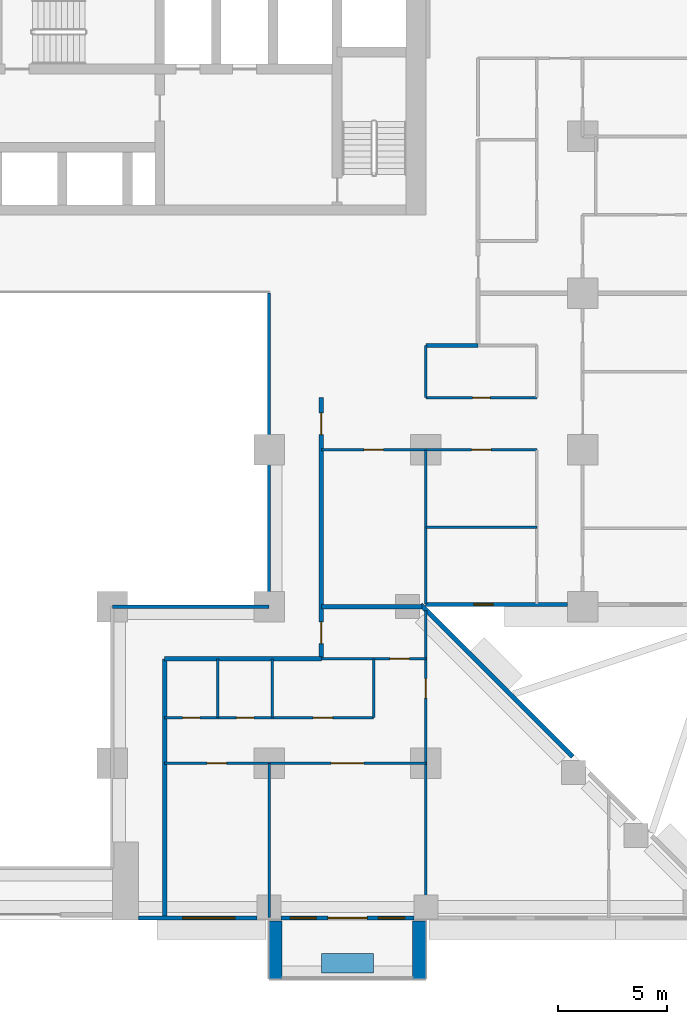
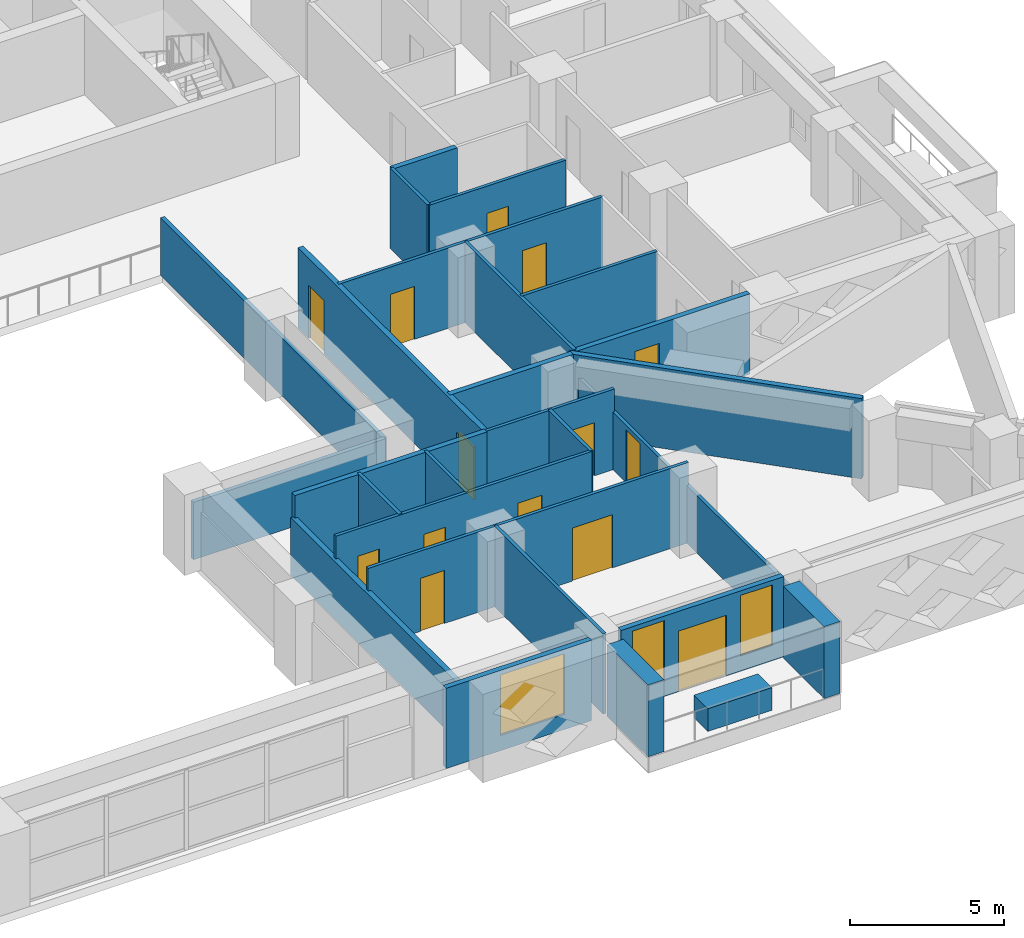
# One storey, part 8 of 16: 27 walls, 13 doors, 4 windows, 17 openings.
"""IFC4 building model written with IfcOpenShell, lengths in metres."""

from ifc_helpers import new_model, si_unit, direction, frame, frame_2d, origin, place, context, subcontext, project, spatial, rectangle, extrude, material, layer, layer_set, type_object, element, fill, save


model = new_model("IFC4")

# Units and contexts
model_context = context("Model", 3, precision=1e-05, world=origin(), true_north=direction((0.0, 1.0)))
body_context = subcontext(model_context, "Body", "Model", "MODEL_VIEW")
ifc_project = project(units=[si_unit("LENGTHUNIT", "METRE"), si_unit("AREAUNIT", "SQUARE_METRE"), si_unit("VOLUMEUNIT", "CUBIC_METRE"), si_unit("PLANEANGLEUNIT", "RADIAN"), si_unit("MASSUNIT", "GRAM", prefix="KILO")], contexts=[model_context])

# Site, building, storey
site_placement = place(None, origin())
site = spatial("IfcSite", under=ifc_project, at=site_placement, CompositionType="ELEMENT")
building_placement = place(site_placement, origin())
building = spatial("IfcBuilding", under=site, at=building_placement, Name="Saffron Iwan Residences", CompositionType="ELEMENT")
storey_placement = place(building_placement, frame((0.0, 0.0, 44.5)))
storey = spatial("IfcBuildingStorey", under=building, at=storey_placement, Name="L10", CompositionType="ELEMENT", Elevation=44.5)

# Walls
ifc_material_1 = material(Name="Fire-rated glazing", Category="glass")
ifc_layer_1 = layer(ifc_material_1, 0.14990234375)
ifc_layer_set_1 = layer_set([ifc_layer_1], Name="Fire-rated glazing")
wall_type_1 = type_object("IfcWallType", Name="Atrium glazed screen 150", PredefinedType="SOLIDWALL", material=ifc_layer_set_1)
wall_1_placement = place(storey_placement, frame((57.60009765625, 48.0, 0.0), z_axis=(0.0, 0.0, 1.0), x_axis=(1.0, 0.0, 0.0)))
element("IfcWall", 1, at=wall_1_placement, inside=storey, type_object=wall_type_1, Name="W-L10-SCREEN-h48-57.6", PredefinedType="SOLIDWALL", context=body_context, shape_type="SweptSolid", body=[
    extrude(rectangle(XDim=7.199951171875, YDim=0.14990234375, at=frame_2d((3.60009765625, 0.0))), origin(), (0.0, 0.0, 1.0), 2.280029296875),
])
wall_2_placement = place(storey_placement, frame((64.800048828125, 48.0, 0.0), z_axis=(0.0, 0.0, 1.0), x_axis=(0.0, 1.0, 0.0)))
element("IfcWall", 2, at=wall_2_placement, inside=storey, type_object=wall_type_1, Name="W-L10-SCREEN-v64.8-48", PredefinedType="SOLIDWALL", context=body_context, shape_type="SweptSolid", body=[
    extrude(rectangle(XDim=14.39990234375, YDim=0.14990234375, at=frame_2d((7.199951171875, 0.0))), origin(), (0.0, 0.0, 1.0), 2.280029296875),
])
ifc_material_2 = material(Name="Concrete C50/60 white painted", Category="concrete")
ifc_layer_2 = layer(ifc_material_2, 0.60009765625)
ifc_layer_set_2 = layer_set([ifc_layer_2], Name="Concrete C50/60 white painted")
wall_type_2 = type_object("IfcWallType", Name="BALCONY FIN 600", PredefinedType="SOLIDWALL", material=ifc_layer_set_2)
for number, where, z_axis, x_axis, name in (
    (3, (65.10009765625, 33.550048828125, 0.0), (0.0, 0.0, 1.0), (0.0, -1.0, 0.0), "Balcony fin L10 11-1a"),
    (4, (71.699951171875, 33.550048828125, 0.0), (0.0, 0.0, 1.0), (0.0, -1.0, 0.0), "Balcony fin L10 11-1b"),
):
    element("IfcWall", number, at=place(storey_placement, frame(where, z_axis=z_axis, x_axis=x_axis)), inside=storey, type_object=wall_type_2, Name=name, PredefinedType="SOLIDWALL", context=body_context, shape_type="SweptSolid", body=[
        extrude(rectangle(XDim=2.650146484375, YDim=0.60009765625, at=frame_2d((1.3251953125, 0.0))), origin(), (0.0, 0.0, 1.0), 2.85009765625),
    ])
ifc_material_3 = material(Name="Concrete C35/45 white painted", Category="concrete")
ifc_layer_3 = layer(ifc_material_3, 0.14990234375)
ifc_layer_set_3 = layer_set([ifc_layer_3], Name="Concrete C35/45 white painted")
wall_type_3 = type_object("IfcWallType", Name="BALCONY PLANTER", PredefinedType="SOLIDWALL", material=ifc_layer_set_3)
wall_3_placement = place(storey_placement, frame((67.199951171875, 31.625, 0.0), z_axis=(0.0, 0.0, 1.0), x_axis=(1.0, 0.0, 0.0)))
element("IfcWall", 5, at=wall_3_placement, inside=storey, type_object=wall_type_3, Name="PLANTER L10 11-1", PredefinedType="SOLIDWALL", context=body_context, shape_type="SweptSolid", body=[
    extrude(rectangle(XDim=2.400146484375, YDim=0.89990234375, at=frame_2d((1.2001953125, 0.0))), origin(), (0.0, 0.0, 1.0), 0.89990234375),
])
ifc_material_4 = material(Name="Concrete C40/50", Category="concrete")
ifc_layer_4 = layer(ifc_material_4, 0.199951171875)
ifc_layer_set_4 = layer_set([ifc_layer_4], Name="Concrete C40/50")
wall_type_4 = type_object("IfcWallType", Name="EXTERNAL WALL 200", PredefinedType="SOLIDWALL", material=ifc_layer_set_4)
wall_4_placement = place(storey_placement, frame((78.740478515625, 41.1181640625, 0.0), z_axis=(0.0, 0.0, 1.0), x_axis=(-0.707106781187, 0.707106781187, 0.0)))
element("IfcWall", 6, at=wall_4_placement, inside=storey, type_object=wall_type_4, Name="External wall L10 F0.2", PredefinedType="SOLIDWALL", context=body_context, shape_type="SweptSolid", body=[
    extrude(rectangle(XDim=9.8740234375, YDim=0.199951171875, at=frame_2d((4.93701171875, 0.0))), origin(), (0.0, 0.0, 1.0), 3.179931640625),
])

# Wall, opening, window
wall_5_placement = place(storey_placement, frame((71.988525390625, 48.10009765625, 0.0), z_axis=(0.0, 0.0, 1.0), x_axis=(1.0, 0.0, 0.0)))
wall_5 = element("IfcWall", 7, at=wall_5_placement, inside=storey, type_object=wall_type_4, Name="External wall L10 F1.0", PredefinedType="SOLIDWALL", context=body_context, shape_type="SweptSolid", body=[
    extrude(rectangle(XDim=6.511474609375, YDim=0.199951171875, at=frame_2d((3.255859375, 0.0))), origin(), (0.0, 0.0, 1.0), 3.179931640625),
])
opening_1_placement = place(wall_5_placement, frame((2.205810546875, 0.0, 1.5)))
opening_1 = element("IfcOpeningElement", 8, at=opening_1_placement, cuts=wall_5, Name="Opening W6", PredefinedType="OPENING", context=body_context, shape_type="SweptSolid", body=[
    extrude(rectangle(XDim=0.89990234375, YDim=0.89990234375, at=frame_2d((0.449951171875, 0.449951171875))), frame((0.0, 0.10986328125, 0.0), z_axis=(0.0, -1.0, 0.0), x_axis=(1.0, 0.0, 0.0)), (0.0, 0.0, 1.0), 0.219970703125),
])
ifc_material_5 = material(Name="Clear glass, laminated double glazed", Category="glass")
window_type_1 = type_object("IfcWindowType", Name="WINDOW 900 x 900 BATH", PartitioningType="SINGLE_PANEL", PredefinedType="WINDOW", material=ifc_material_5)
window_1_placement = place(opening_1_placement, origin())
window_1 = element("IfcWindow", 9, at=window_1_placement, inside=storey, type_object=window_type_1, Name="Window L10 F1.0", OverallHeight=0.89990234375, OverallWidth=0.89990234375, PartitioningType="SINGLE_PANEL", PredefinedType="WINDOW", context=body_context, shape_type="SweptSolid", body=[
    extrude(rectangle(XDim=0.89990234375, YDim=0.89990234375, at=frame_2d((0.449951171875, 0.449951171875))), frame((0.0, 0.030029296875, 0.0), z_axis=(0.0, -1.0, 0.0), x_axis=(1.0, 0.0, 0.0)), (0.0, 0.0, 1.0), 0.06005859375),
])
fill(opening_1, window_1)

wall_6_placement = place(storey_placement, frame((58.800048828125, 33.699951171875, 0.0), z_axis=(0.0, 0.0, 1.0), x_axis=(1.0, 0.0, 0.0)))
wall_6 = element("IfcWall", 10, at=wall_6_placement, inside=storey, type_object=wall_type_4, Name="External wall L10 F11.4", PredefinedType="SOLIDWALL", context=body_context, shape_type="SweptSolid", body=[
    extrude(rectangle(XDim=5.449951171875, YDim=0.199951171875, at=frame_2d((2.72509765625, 0.0))), origin(), (0.0, 0.0, 1.0), 3.179931640625),
])
opening_2_placement = place(wall_6_placement, frame((2.02490234375, 0.0, 0.60009765625)))
opening_2 = element("IfcOpeningElement", 11, at=opening_2_placement, cuts=wall_6, Name="Opening W1", PredefinedType="OPENING", context=body_context, shape_type="SweptSolid", body=[
    extrude(rectangle(XDim=2.39990234375, YDim=2.39990234375, at=frame_2d((1.199951171875, 1.199951171875))), frame((0.0, 0.10986328125, 0.0), z_axis=(0.0, -1.0, 0.0), x_axis=(1.0, 0.0, 0.0)), (0.0, 0.0, 1.0), 0.219970703125),
])
window_type_2 = type_object("IfcWindowType", Name="WINDOW 2400 x 2400", PartitioningType="DOUBLE_PANEL_VERTICAL", PredefinedType="WINDOW", material=ifc_material_5)
window_2_placement = place(opening_2_placement, origin())
window_2 = element("IfcWindow", 12, at=window_2_placement, inside=storey, type_object=window_type_2, Name="Window L10 F11.0", OverallHeight=2.39990234375, OverallWidth=2.39990234375, PartitioningType="DOUBLE_PANEL_VERTICAL", PredefinedType="WINDOW", context=body_context, shape_type="SweptSolid", body=[
    extrude(rectangle(XDim=2.39990234375, YDim=2.39990234375, at=frame_2d((1.199951171875, 1.199951171875))), frame((0.0, 0.030029296875, 0.0), z_axis=(0.0, -1.0, 0.0), x_axis=(1.0, 0.0, 0.0)), (0.0, 0.0, 1.0), 0.06005859375),
])
fill(opening_2, window_2)

# Wall, openings, door, windows
wall_7_placement = place(storey_placement, frame((65.35009765625, 33.699951171875, 0.0), z_axis=(0.0, 0.0, 1.0), x_axis=(1.0, 0.0, 0.0)))
wall_7 = element("IfcWall", 13, at=wall_7_placement, inside=storey, type_object=wall_type_4, Name="External wall L10 F11.5", PredefinedType="SOLIDWALL", context=body_context, shape_type="SweptSolid", body=[
    extrude(rectangle(XDim=6.099853515625, YDim=0.199951171875, at=frame_2d((3.0498046875, 0.0))), origin(), (0.0, 0.0, 1.0), 3.179931640625),
])
opening_3_placement = place(wall_7_placement, frame((2.14990234375, 0.0, 0.0)))
opening_3 = element("IfcOpeningElement", 14, at=opening_3_placement, cuts=wall_7, Name="Opening BD1", PredefinedType="OPENING", context=body_context, shape_type="SweptSolid", body=[
    extrude(rectangle(XDim=1.800048828125, YDim=2.39990234375, at=frame_2d((0.89990234375, 1.199951171875))), frame((0.0, 0.10986328125, 0.0), z_axis=(0.0, -1.0, 0.0), x_axis=(1.0, 0.0, 0.0)), (0.0, 0.0, 1.0), 0.219970703125),
])
opening_4_placement = place(wall_7_placement, frame((0.425048828125, 0.0, 0.60009765625)))
opening_4 = element("IfcOpeningElement", 15, at=opening_4_placement, cuts=wall_7, Name="Opening W3", PredefinedType="OPENING", context=body_context, shape_type="SweptSolid", body=[
    extrude(rectangle(XDim=1.199951171875, YDim=2.39990234375, at=frame_2d((0.60009765625, 1.199951171875))), frame((0.0, 0.10986328125, 0.0), z_axis=(0.0, -1.0, 0.0), x_axis=(1.0, 0.0, 0.0)), (0.0, 0.0, 1.0), 0.219970703125),
])
opening_5_placement = place(wall_7_placement, frame((4.47509765625, 0.0, 0.60009765625)))
opening_5 = element("IfcOpeningElement", 16, at=opening_5_placement, cuts=wall_7, Name="Opening W3", PredefinedType="OPENING", context=body_context, shape_type="SweptSolid", body=[
    extrude(rectangle(XDim=1.199951171875, YDim=2.39990234375, at=frame_2d((0.60009765625, 1.199951171875))), frame((0.0, 0.10986328125, 0.0), z_axis=(0.0, -1.0, 0.0), x_axis=(1.0, 0.0, 0.0)), (0.0, 0.0, 1.0), 0.219970703125),
])
door_type_1 = type_object("IfcDoorType", Name="BALCONY DOOR 1800 x 2400", OperationType="DOUBLE_DOOR_SLIDING", PredefinedType="DOOR", material=ifc_material_5)
door_1_placement = place(opening_3_placement, origin())
door_1 = element("IfcDoor", 17, at=door_1_placement, inside=storey, type_object=door_type_1, Name="Balcony door L10 F11.0", OperationType="DOUBLE_DOOR_SLIDING", OverallHeight=2.39990234375, OverallWidth=1.800048828125, PredefinedType="DOOR", context=body_context, shape_type="SweptSolid", body=[
    extrude(rectangle(XDim=1.800048828125, YDim=2.39990234375, at=frame_2d((0.89990234375, 1.199951171875))), frame((0.0, 0.02490234375, 0.0), z_axis=(0.0, -1.0, 0.0), x_axis=(1.0, 0.0, 0.0)), (0.0, 0.0, 1.0), 0.050048828125),
])
fill(opening_3, door_1)
window_type_3 = type_object("IfcWindowType", Name="WINDOW 1200 x 2400", PartitioningType="SINGLE_PANEL", PredefinedType="WINDOW", material=ifc_material_5)
window_3_placement = place(opening_4_placement, origin())
window_3 = element("IfcWindow", 18, at=window_3_placement, inside=storey, type_object=window_type_3, Name="Window L10 F11.1", OverallHeight=2.39990234375, OverallWidth=1.199951171875, PartitioningType="SINGLE_PANEL", PredefinedType="WINDOW", context=body_context, shape_type="SweptSolid", body=[
    extrude(rectangle(XDim=1.199951171875, YDim=2.39990234375, at=frame_2d((0.60009765625, 1.199951171875))), frame((0.0, 0.030029296875, 0.0), z_axis=(0.0, -1.0, 0.0), x_axis=(1.0, 0.0, 0.0)), (0.0, 0.0, 1.0), 0.06005859375),
])
fill(opening_4, window_3)
window_4_placement = place(opening_5_placement, origin())
window_4 = element("IfcWindow", 19, at=window_4_placement, inside=storey, type_object=window_type_3, Name="Window L10 F11.2", OverallHeight=2.39990234375, OverallWidth=1.199951171875, PartitioningType="SINGLE_PANEL", PredefinedType="WINDOW", context=body_context, shape_type="SweptSolid", body=[
    extrude(rectangle(XDim=1.199951171875, YDim=2.39990234375, at=frame_2d((0.60009765625, 1.199951171875))), frame((0.0, 0.030029296875, 0.0), z_axis=(0.0, -1.0, 0.0), x_axis=(1.0, 0.0, 0.0)), (0.0, 0.0, 1.0), 0.06005859375),
])
fill(opening_5, window_4)

# Wall
ifc_material_6 = material(Name="Fire-rated gypsum board wall")
ifc_layer_5 = layer(ifc_material_6, 0.199951171875)
ifc_layer_set_5 = layer_set([ifc_layer_5], Name="Fire-rated gypsum board wall")
wall_type_5 = type_object("IfcWallType", Name="Flat demising wall 200", PredefinedType="SOLIDWALL", material=ifc_layer_set_5)
wall_8_placement = place(storey_placement, frame((67.199951171875, 48.0, 0.0), z_axis=(0.0, 0.0, 1.0), x_axis=(1.0, 0.0, 0.0)))
element("IfcWall", 20, at=wall_8_placement, inside=storey, type_object=wall_type_5, Name="W-L10-DEMISE-h48-67.2", PredefinedType="SOLIDWALL", context=body_context, shape_type="SweptSolid", body=[
    extrude(rectangle(XDim=4.623046875, YDim=0.199951171875, at=frame_2d((2.3115234375, 0.0))), origin(), (0.0, 0.0, 1.0), 3.179931640625),
])

# Wall, openings, doors
ifc_material_7 = material(Name="Gypsum board partition")
ifc_layer_6 = layer(ifc_material_7, 0.1201171875)
ifc_layer_set_6 = layer_set([ifc_layer_6], Name="Gypsum board partition")
wall_type_6 = type_object("IfcWallType", Name="Flat partition 120", PredefinedType="PARTITIONING", material=ifc_layer_set_6)
wall_9_placement = place(storey_placement, frame((60.0, 40.800048828125, 0.0), z_axis=(0.0, 0.0, 1.0), x_axis=(1.0, 0.0, 0.0)))
wall_9 = element("IfcWall", 21, at=wall_9_placement, inside=storey, type_object=wall_type_6, Name="W-L10-PART-h40.8-60", PredefinedType="PARTITIONING", context=body_context, shape_type="SweptSolid", body=[
    extrude(rectangle(XDim=12.0, YDim=0.1201171875, at=frame_2d((6.0, 0.0))), origin(), (0.0, 0.0, 1.0), 3.179931640625),
])
opening_6_placement = place(wall_9_placement, frame((7.64990234375, 0.0, 0.0)))
opening_6 = element("IfcOpeningElement", 22, at=opening_6_placement, cuts=wall_9, Name="Opening FD4", PredefinedType="OPENING", context=body_context, shape_type="SweptSolid", body=[
    extrude(rectangle(XDim=1.5, YDim=2.10009765625, at=frame_2d((0.75, 1.050048828125))), frame((0.0, 0.070068359375, 0.0), z_axis=(0.0, -1.0, 0.0), x_axis=(1.0, 0.0, 0.0)), (0.0, 0.0, 1.0), 0.14013671875),
])
opening_7_placement = place(wall_9_placement, frame((1.949951171875, 0.0, 0.0)))
opening_7 = element("IfcOpeningElement", 23, at=opening_7_placement, cuts=wall_9, Name="Opening FD2", PredefinedType="OPENING", context=body_context, shape_type="SweptSolid", body=[
    extrude(rectangle(XDim=0.89990234375, YDim=2.10009765625, at=frame_2d((0.449951171875, 1.050048828125))), frame((0.0, 0.070068359375, 0.0), z_axis=(0.0, -1.0, 0.0), x_axis=(1.0, 0.0, 0.0)), (0.0, 0.0, 1.0), 0.14013671875),
])
ifc_material_8 = material(Name="Timber door", Category="wood")
door_type_2 = type_object("IfcDoorType", Name="Double door 1500", OperationType="NOTDEFINED", PredefinedType="DOOR", material=ifc_material_8)
door_2_placement = place(opening_6_placement, origin())
door_2 = element("IfcDoor", 24, at=door_2_placement, inside=storey, type_object=door_type_2, Name="Door L10-044", OperationType="SINGLE_SWING_LEFT", OverallHeight=2.10009765625, OverallWidth=1.5, PredefinedType="DOOR", context=body_context, shape_type="SweptSolid", body=[
    extrude(rectangle(XDim=1.5, YDim=2.10009765625, at=frame_2d((0.75, 1.050048828125))), frame((0.0, 0.02490234375, 0.0), z_axis=(0.0, -1.0, 0.0), x_axis=(1.0, 0.0, 0.0)), (0.0, 0.0, 1.0), 0.050048828125),
])
fill(opening_6, door_2)
door_type_3 = type_object("IfcDoorType", Name="Flat door 900", OperationType="NOTDEFINED", PredefinedType="DOOR", material=ifc_material_8)
door_3_placement = place(opening_7_placement, origin())
door_3 = element("IfcDoor", 25, at=door_3_placement, inside=storey, type_object=door_type_3, Name="Door L10-045", OperationType="SINGLE_SWING_RIGHT", OverallHeight=2.10009765625, OverallWidth=0.89990234375, PredefinedType="DOOR", context=body_context, shape_type="SweptSolid", body=[
    extrude(rectangle(XDim=0.89990234375, YDim=2.10009765625, at=frame_2d((0.449951171875, 1.050048828125))), frame((0.0, 0.02490234375, 0.0), z_axis=(0.0, -1.0, 0.0), x_axis=(1.0, 0.0, 0.0)), (0.0, 0.0, 1.0), 0.050048828125),
])
fill(opening_7, door_3)

wall_10_placement = place(storey_placement, frame((60.0, 42.89990234375, 0.0), z_axis=(0.0, 0.0, 1.0), x_axis=(1.0, 0.0, 0.0)))
wall_10 = element("IfcWall", 26, at=wall_10_placement, inside=storey, type_object=wall_type_6, Name="W-L10-PART-h42.9-60", PredefinedType="PARTITIONING", context=body_context, shape_type="SweptSolid", body=[
    extrude(rectangle(XDim=9.60009765625, YDim=0.1201171875, at=frame_2d((4.800048828125, 0.0))), origin(), (0.0, 0.0, 1.0), 3.179931640625),
])
opening_8_placement = place(wall_10_placement, frame((6.824951171875, 0.0, 0.0)))
opening_8 = element("IfcOpeningElement", 27, at=opening_8_placement, cuts=wall_10, Name="Opening FD2", PredefinedType="OPENING", context=body_context, shape_type="SweptSolid", body=[
    extrude(rectangle(XDim=0.89990234375, YDim=2.10009765625, at=frame_2d((0.449951171875, 1.050048828125))), frame((0.0, 0.070068359375, 0.0), z_axis=(0.0, -1.0, 0.0), x_axis=(1.0, 0.0, 0.0)), (0.0, 0.0, 1.0), 0.14013671875),
])
opening_9_placement = place(wall_10_placement, frame((3.300048828125, 0.0, 0.0)))
opening_9 = element("IfcOpeningElement", 28, at=opening_9_placement, cuts=wall_10, Name="Opening FD3", PredefinedType="OPENING", context=body_context, shape_type="SweptSolid", body=[
    extrude(rectangle(XDim=0.800048828125, YDim=2.10009765625, at=frame_2d((0.39990234375, 1.050048828125))), frame((0.0, 0.070068359375, 0.0), z_axis=(0.0, -1.0, 0.0), x_axis=(1.0, 0.0, 0.0)), (0.0, 0.0, 1.0), 0.14013671875),
])
opening_10_placement = place(wall_10_placement, frame((0.824951171875, 0.0, 0.0)))
opening_10 = element("IfcOpeningElement", 29, at=opening_10_placement, cuts=wall_10, Name="Opening FD3", PredefinedType="OPENING", context=body_context, shape_type="SweptSolid", body=[
    extrude(rectangle(XDim=0.800048828125, YDim=2.10009765625, at=frame_2d((0.39990234375, 1.050048828125))), frame((0.0, 0.070068359375, 0.0), z_axis=(0.0, -1.0, 0.0), x_axis=(1.0, 0.0, 0.0)), (0.0, 0.0, 1.0), 0.14013671875),
])
door_type_4 = type_object("IfcDoorType", Name="Bathroom door 800", OperationType="NOTDEFINED", PredefinedType="DOOR", material=ifc_material_8)
door_4_placement = place(opening_9_placement, origin())
door_4 = element("IfcDoor", 30, at=door_4_placement, inside=storey, type_object=door_type_4, Name="Door L10-047", OperationType="SINGLE_SWING_LEFT", OverallHeight=2.10009765625, OverallWidth=0.800048828125, PredefinedType="DOOR", context=body_context, shape_type="SweptSolid", body=[
    extrude(rectangle(XDim=0.800048828125, YDim=2.10009765625, at=frame_2d((0.39990234375, 1.050048828125))), frame((0.0, 0.02490234375, 0.0), z_axis=(0.0, -1.0, 0.0), x_axis=(1.0, 0.0, 0.0)), (0.0, 0.0, 1.0), 0.050048828125),
])
fill(opening_9, door_4)
door_5_placement = place(opening_10_placement, origin())
door_5 = element("IfcDoor", 31, at=door_5_placement, inside=storey, type_object=door_type_4, Name="Door L10-048", OperationType="SINGLE_SWING_RIGHT", OverallHeight=2.10009765625, OverallWidth=0.800048828125, PredefinedType="DOOR", context=body_context, shape_type="SweptSolid", body=[
    extrude(rectangle(XDim=0.800048828125, YDim=2.10009765625, at=frame_2d((0.39990234375, 1.050048828125))), frame((0.0, 0.02490234375, 0.0), z_axis=(0.0, -1.0, 0.0), x_axis=(1.0, 0.0, 0.0)), (0.0, 0.0, 1.0), 0.050048828125),
])
fill(opening_10, door_5)
door_6_placement = place(opening_8_placement, origin())
door_6 = element("IfcDoor", 32, at=door_6_placement, inside=storey, type_object=door_type_3, Name="Door L10-046", OperationType="SINGLE_SWING_LEFT", OverallHeight=2.10009765625, OverallWidth=0.89990234375, PredefinedType="DOOR", context=body_context, shape_type="SweptSolid", body=[
    extrude(rectangle(XDim=0.89990234375, YDim=2.10009765625, at=frame_2d((0.449951171875, 1.050048828125))), frame((0.0, 0.02490234375, 0.0), z_axis=(0.0, -1.0, 0.0), x_axis=(1.0, 0.0, 0.0)), (0.0, 0.0, 1.0), 0.050048828125),
])
fill(opening_8, door_6)

# Wall, opening, door
wall_11_placement = place(storey_placement, frame((67.199951171875, 45.60009765625, 0.0), z_axis=(0.0, 0.0, 1.0), x_axis=(1.0, 0.0, 0.0)))
wall_11 = element("IfcWall", 33, at=wall_11_placement, inside=storey, type_object=wall_type_6, Name="W-L10-PART-h45.6-67.2", PredefinedType="PARTITIONING", context=body_context, shape_type="SweptSolid", body=[
    extrude(rectangle(XDim=4.800048828125, YDim=0.1201171875, at=frame_2d((2.39990234375, 0.0))), origin(), (0.0, 0.0, 1.0), 3.179931640625),
])
opening_11_placement = place(wall_11_placement, frame((3.14990234375, 0.0, 0.0)))
opening_11 = element("IfcOpeningElement", 34, at=opening_11_placement, cuts=wall_11, Name="Opening FD2", PredefinedType="OPENING", context=body_context, shape_type="SweptSolid", body=[
    extrude(rectangle(XDim=0.89990234375, YDim=2.10009765625, at=frame_2d((0.449951171875, 1.050048828125))), frame((0.0, 0.070068359375, 0.0), z_axis=(0.0, -1.0, 0.0), x_axis=(1.0, 0.0, 0.0)), (0.0, 0.0, 1.0), 0.14013671875),
])
door_7_placement = place(opening_11_placement, origin())
door_7 = element("IfcDoor", 35, at=door_7_placement, inside=storey, type_object=door_type_3, Name="Door L10-042", OperationType="SINGLE_SWING_RIGHT", OverallHeight=2.10009765625, OverallWidth=0.89990234375, PredefinedType="DOOR", context=body_context, shape_type="SweptSolid", body=[
    extrude(rectangle(XDim=0.89990234375, YDim=2.10009765625, at=frame_2d((0.449951171875, 1.050048828125))), frame((0.0, 0.02490234375, 0.0), z_axis=(0.0, -1.0, 0.0), x_axis=(1.0, 0.0, 0.0)), (0.0, 0.0, 1.0), 0.050048828125),
])
fill(opening_11, door_7)

# Wall
wall_12_placement = place(storey_placement, frame((72.0, 51.64990234375, 0.0), z_axis=(0.0, 0.0, 1.0), x_axis=(1.0, 0.0, 0.0)))
element("IfcWall", 36, at=wall_12_placement, inside=storey, type_object=wall_type_6, Name="W-L10-PART-h51.65-72", PredefinedType="PARTITIONING", context=body_context, shape_type="SweptSolid", body=[
    extrude(rectangle(XDim=5.10009765625, YDim=0.1201171875, at=frame_2d((2.550048828125, 0.0))), origin(), (0.0, 0.0, 1.0), 3.179931640625),
])

# Wall, openings, doors
wall_13_placement = place(storey_placement, frame((67.199951171875, 55.199951171875, 0.0), z_axis=(0.0, 0.0, 1.0), x_axis=(1.0, 0.0, 0.0)))
wall_13 = element("IfcWall", 37, at=wall_13_placement, inside=storey, type_object=wall_type_6, Name="W-L10-PART-h55.2-67.2", PredefinedType="PARTITIONING", context=body_context, shape_type="SweptSolid", body=[
    extrude(rectangle(XDim=9.900146484375, YDim=0.1201171875, at=frame_2d((4.9501953125, 0.0))), origin(), (0.0, 0.0, 1.0), 3.179931640625),
])
opening_12_placement = place(wall_13_placement, frame((6.89990234375, 0.0, 0.0)))
opening_12 = element("IfcOpeningElement", 38, at=opening_12_placement, cuts=wall_13, Name="Opening FD2", PredefinedType="OPENING", context=body_context, shape_type="SweptSolid", body=[
    extrude(rectangle(XDim=0.89990234375, YDim=2.10009765625, at=frame_2d((0.449951171875, 1.050048828125))), frame((0.0, 0.070068359375, 0.0), z_axis=(0.0, -1.0, 0.0), x_axis=(1.0, 0.0, 0.0)), (0.0, 0.0, 1.0), 0.14013671875),
])
opening_13_placement = place(wall_13_placement, frame((1.949951171875, 0.0, 0.0)))
opening_13 = element("IfcOpeningElement", 39, at=opening_13_placement, cuts=wall_13, Name="Opening FD2", PredefinedType="OPENING", context=body_context, shape_type="SweptSolid", body=[
    extrude(rectangle(XDim=0.89990234375, YDim=2.10009765625, at=frame_2d((0.449951171875, 1.050048828125))), frame((0.0, 0.070068359375, 0.0), z_axis=(0.0, -1.0, 0.0), x_axis=(1.0, 0.0, 0.0)), (0.0, 0.0, 1.0), 0.14013671875),
])
door_8_placement = place(opening_12_placement, origin())
door_8 = element("IfcDoor", 40, at=door_8_placement, inside=storey, type_object=door_type_3, Name="Door L10-024", OperationType="SINGLE_SWING_RIGHT", OverallHeight=2.10009765625, OverallWidth=0.89990234375, PredefinedType="DOOR", context=body_context, shape_type="SweptSolid", body=[
    extrude(rectangle(XDim=0.89990234375, YDim=2.10009765625, at=frame_2d((0.449951171875, 1.050048828125))), frame((0.0, 0.02490234375, 0.0), z_axis=(0.0, -1.0, 0.0), x_axis=(1.0, 0.0, 0.0)), (0.0, 0.0, 1.0), 0.050048828125),
])
fill(opening_12, door_8)
door_9_placement = place(opening_13_placement, origin())
door_9 = element("IfcDoor", 41, at=door_9_placement, inside=storey, type_object=door_type_3, Name="Door L10-026", OperationType="SINGLE_SWING_LEFT", OverallHeight=2.10009765625, OverallWidth=0.89990234375, PredefinedType="DOOR", context=body_context, shape_type="SweptSolid", body=[
    extrude(rectangle(XDim=0.89990234375, YDim=2.10009765625, at=frame_2d((0.449951171875, 1.050048828125))), frame((0.0, 0.02490234375, 0.0), z_axis=(0.0, -1.0, 0.0), x_axis=(1.0, 0.0, 0.0)), (0.0, 0.0, 1.0), 0.050048828125),
])
fill(opening_13, door_9)

# Wall, opening, door
wall_14_placement = place(storey_placement, frame((72.0, 57.60009765625, 0.0), z_axis=(0.0, 0.0, 1.0), x_axis=(1.0, 0.0, 0.0)))
wall_14 = element("IfcWall", 42, at=wall_14_placement, inside=storey, type_object=wall_type_6, Name="W-L10-PART-h57.6-72", PredefinedType="PARTITIONING", context=body_context, shape_type="SweptSolid", body=[
    extrude(rectangle(XDim=5.10009765625, YDim=0.1201171875, at=frame_2d((2.550048828125, 0.0))), origin(), (0.0, 0.0, 1.0), 3.179931640625),
])
opening_14_placement = place(wall_14_placement, frame((2.14990234375, 0.0, 0.0)))
opening_14 = element("IfcOpeningElement", 43, at=opening_14_placement, cuts=wall_14, Name="Opening FD3", PredefinedType="OPENING", context=body_context, shape_type="SweptSolid", body=[
    extrude(rectangle(XDim=0.800048828125, YDim=2.10009765625, at=frame_2d((0.39990234375, 1.050048828125))), frame((0.0, 0.070068359375, 0.0), z_axis=(0.0, -1.0, 0.0), x_axis=(1.0, 0.0, 0.0)), (0.0, 0.0, 1.0), 0.14013671875),
])
door_10_placement = place(opening_14_placement, origin())
door_10 = element("IfcDoor", 44, at=door_10_placement, inside=storey, type_object=door_type_4, Name="Door L10-025", OperationType="SINGLE_SWING_LEFT", OverallHeight=2.10009765625, OverallWidth=0.800048828125, PredefinedType="DOOR", context=body_context, shape_type="SweptSolid", body=[
    extrude(rectangle(XDim=0.800048828125, YDim=2.10009765625, at=frame_2d((0.39990234375, 1.050048828125))), frame((0.0, 0.02490234375, 0.0), z_axis=(0.0, -1.0, 0.0), x_axis=(1.0, 0.0, 0.0)), (0.0, 0.0, 1.0), 0.050048828125),
])
fill(opening_14, door_10)

# Walls
wall_15_placement = place(storey_placement, frame((62.449951171875, 42.89990234375, 0.0), z_axis=(0.0, 0.0, 1.0), x_axis=(0.0, 1.0, 0.0)))
element("IfcWall", 45, at=wall_15_placement, inside=storey, type_object=wall_type_6, Name="W-L10-PART-v62.45-42.9", PredefinedType="PARTITIONING", context=body_context, shape_type="SweptSolid", body=[
    extrude(rectangle(XDim=2.7001953125, YDim=0.1201171875, at=frame_2d((1.35009765625, 0.0))), origin(), (0.0, 0.0, 1.0), 3.179931640625),
])
wall_16_placement = place(storey_placement, frame((64.800048828125, 33.72509765625, 0.0), z_axis=(0.0, 0.0, 1.0), x_axis=(0.0, 1.0, 0.0)))
element("IfcWall", 46, at=wall_16_placement, inside=storey, type_object=wall_type_6, Name="W-L10-PART-v64.8-33.725", PredefinedType="PARTITIONING", context=body_context, shape_type="SweptSolid", body=[
    extrude(rectangle(XDim=7.074951171875, YDim=0.1201171875, at=frame_2d((3.53759765625, 0.0))), origin(), (0.0, 0.0, 1.0), 3.179931640625),
])
for number, where, z_axis, x_axis, name in (
    (47, (64.949951171875, 42.89990234375, 0.0), (0.0, 0.0, 1.0), (0.0, 1.0, 0.0), "W-L10-PART-v64.95-42.9"),
    (48, (69.60009765625, 42.89990234375, 0.0), (0.0, 0.0, 1.0), (0.0, 1.0, 0.0), "W-L10-PART-v69.6-42.9"),
):
    element("IfcWall", number, at=place(storey_placement, frame(where, z_axis=z_axis, x_axis=x_axis)), inside=storey, type_object=wall_type_6, Name=name, PredefinedType="PARTITIONING", context=body_context, shape_type="SweptSolid", body=[
        extrude(rectangle(XDim=2.7001953125, YDim=0.1201171875, at=frame_2d((1.35009765625, 0.0))), origin(), (0.0, 0.0, 1.0), 3.179931640625),
    ])

# Wall, opening, door
wall_17_placement = place(storey_placement, frame((72.0, 33.72509765625, 0.0), z_axis=(0.0, 0.0, 1.0), x_axis=(0.0, 1.0, 0.0)))
wall_17 = element("IfcWall", 49, at=wall_17_placement, inside=storey, type_object=wall_type_6, Name="W-L10-PART-v72-33.725", PredefinedType="PARTITIONING", context=body_context, shape_type="SweptSolid", body=[
    extrude(rectangle(XDim=14.097900390625, YDim=0.1201171875, at=frame_2d((7.048828125, 0.0))), origin(), (0.0, 0.0, 1.0), 2.280029296875),
])
opening_15_placement = place(wall_17_placement, frame((10.074951171875, 0.0, 0.0)))
opening_15 = element("IfcOpeningElement", 50, at=opening_15_placement, cuts=wall_17, Name="Opening FD2", PredefinedType="OPENING", context=body_context, shape_type="SweptSolid", body=[
    extrude(rectangle(XDim=0.89990234375, YDim=2.10009765625, at=frame_2d((0.449951171875, 1.050048828125))), frame((0.0, 0.070068359375, 0.0), z_axis=(0.0, -1.0, 0.0), x_axis=(1.0, 0.0, 0.0)), (0.0, 0.0, 1.0), 0.14013671875),
])
door_11_placement = place(opening_15_placement, origin())
door_11 = element("IfcDoor", 51, at=door_11_placement, inside=storey, type_object=door_type_3, Name="Door L10-049", OperationType="SINGLE_SWING_LEFT", OverallHeight=2.10009765625, OverallWidth=0.89990234375, PredefinedType="DOOR", context=body_context, shape_type="SweptSolid", body=[
    extrude(rectangle(XDim=0.89990234375, YDim=2.10009765625, at=frame_2d((0.449951171875, 1.050048828125))), frame((0.0, 0.02490234375, 0.0), z_axis=(0.0, -1.0, 0.0), x_axis=(1.0, 0.0, 0.0)), (0.0, 0.0, 1.0), 0.050048828125),
])
fill(opening_15, door_11)

# Walls
wall_18_placement = place(storey_placement, frame((72.0, 48.125, 0.0), z_axis=(0.0, 0.0, 1.0), x_axis=(0.0, 1.0, 0.0)))
element("IfcWall", 52, at=wall_18_placement, inside=storey, type_object=wall_type_6, Name="W-L10-PART-v72-48.125", PredefinedType="PARTITIONING", context=body_context, shape_type="SweptSolid", body=[
    extrude(rectangle(XDim=7.074951171875, YDim=0.1201171875, at=frame_2d((3.53759765625, 0.0))), origin(), (0.0, 0.0, 1.0), 3.179931640625),
])
wall_19_placement = place(storey_placement, frame((72.0, 57.60009765625, 0.0), z_axis=(0.0, 0.0, 1.0), x_axis=(0.0, 1.0, 0.0)))
element("IfcWall", 53, at=wall_19_placement, inside=storey, type_object=wall_type_6, Name="W-L10-PART-v72-57.6", PredefinedType="PARTITIONING", context=body_context, shape_type="SweptSolid", body=[
    extrude(rectangle(XDim=2.39990234375, YDim=0.1201171875, at=frame_2d((1.199951171875, 0.0))), origin(), (0.0, 0.0, 1.0), 3.179931640625),
])
ifc_layer_7 = layer(ifc_material_6, 0.199951171875)
ifc_layer_set_7 = layer_set([ifc_layer_7], Name="Fire-rated gypsum board wall")
wall_type_7 = type_object("IfcWallType", Name="Gallery wall 200", PredefinedType="SOLIDWALL", material=ifc_layer_set_7)
wall_20_placement = place(storey_placement, frame((60.0, 45.60009765625, 0.0), z_axis=(0.0, 0.0, 1.0), x_axis=(1.0, 0.0, 0.0)))
element("IfcWall", 54, at=wall_20_placement, inside=storey, type_object=wall_type_7, Name="W-L10-CORR-h45.6-60", PredefinedType="SOLIDWALL", context=body_context, shape_type="SweptSolid", body=[
    extrude(rectangle(XDim=7.199951171875, YDim=0.199951171875, at=frame_2d((3.60009765625, 0.0))), origin(), (0.0, 0.0, 1.0), 3.179931640625),
])
wall_21_placement = place(storey_placement, frame((72.0, 60.0, 0.0), z_axis=(0.0, 0.0, 1.0), x_axis=(1.0, 0.0, 0.0)))
element("IfcWall", 55, at=wall_21_placement, inside=storey, type_object=wall_type_7, Name="W-L10-CORR-h60-72", PredefinedType="SOLIDWALL", context=body_context, shape_type="SweptSolid", body=[
    extrude(rectangle(XDim=2.39990234375, YDim=0.199951171875, at=frame_2d((1.199951171875, 0.0))), origin(), (0.0, 0.0, 1.0), 3.179931640625),
])
wall_22_placement = place(storey_placement, frame((60.0, 33.72509765625, 0.0), z_axis=(0.0, 0.0, 1.0), x_axis=(0.0, 1.0, 0.0)))
element("IfcWall", 56, at=wall_22_placement, inside=storey, type_object=wall_type_7, Name="W-L10-CORR-v60-33.725", PredefinedType="SOLIDWALL", context=body_context, shape_type="SweptSolid", body=[
    extrude(rectangle(XDim=11.875, YDim=0.199951171875, at=frame_2d((5.9375, 0.0))), origin(), (0.0, 0.0, 1.0), 2.280029296875),
])

# Wall, openings, doors
wall_23_placement = place(storey_placement, frame((67.199951171875, 45.60009765625, 0.0), z_axis=(0.0, 0.0, 1.0), x_axis=(0.0, 1.0, 0.0)))
wall_23 = element("IfcWall", 57, at=wall_23_placement, inside=storey, type_object=wall_type_7, Name="W-L10-CORR-v67.2-45.6", PredefinedType="SOLIDWALL", context=body_context, shape_type="SweptSolid", body=[
    extrude(rectangle(XDim=12.0, YDim=0.199951171875, at=frame_2d((6.0, 0.0))), origin(), (0.0, 0.0, 1.0), 3.179931640625),
])
opening_16_placement = place(wall_23_placement, frame((10.300048828125, 0.0, 0.0)))
opening_16 = element("IfcOpeningElement", 58, at=opening_16_placement, cuts=wall_23, Name="Opening FD1", PredefinedType="OPENING", context=body_context, shape_type="SweptSolid", body=[
    extrude(rectangle(XDim=1.0, YDim=2.10009765625, at=frame_2d((0.5, 1.050048828125))), frame((0.0, 0.10986328125, 0.0), z_axis=(0.0, -1.0, 0.0), x_axis=(1.0, 0.0, 0.0)), (0.0, 0.0, 1.0), 0.219970703125),
])
opening_17_placement = place(wall_23_placement, frame((0.699951171875, 0.0, 0.0)))
opening_17 = element("IfcOpeningElement", 59, at=opening_17_placement, cuts=wall_23, Name="Opening FD5", PredefinedType="OPENING", context=body_context, shape_type="SweptSolid", body=[
    extrude(rectangle(XDim=1.0, YDim=2.10009765625, at=frame_2d((0.5, 1.050048828125))), frame((0.0, 0.10986328125, 0.0), z_axis=(0.0, -1.0, 0.0), x_axis=(1.0, 0.0, 0.0)), (0.0, 0.0, 1.0), 0.219970703125),
])
ifc_material_9 = material(Name="Fire-rated timber door", Category="wood")
door_type_5 = type_object("IfcDoorType", Name="FD30S flat entrance door 1000", OperationType="NOTDEFINED", PredefinedType="DOOR", material=ifc_material_9)
door_12_placement = place(opening_16_placement, origin())
door_12 = element("IfcDoor", 60, at=door_12_placement, inside=storey, type_object=door_type_5, Name="Door L10-019", OperationType="SINGLE_SWING_LEFT", OverallHeight=2.10009765625, OverallWidth=1.0, PredefinedType="DOOR", context=body_context, shape_type="SweptSolid", body=[
    extrude(rectangle(XDim=1.0, YDim=2.10009765625, at=frame_2d((0.5, 1.050048828125))), frame((0.0, 0.02490234375, 0.0), z_axis=(0.0, -1.0, 0.0), x_axis=(1.0, 0.0, 0.0)), (0.0, 0.0, 1.0), 0.050048828125),
])
fill(opening_16, door_12)
door_type_6 = type_object("IfcDoorType", Name="Lobby door 1000", OperationType="NOTDEFINED", PredefinedType="DOOR", material=ifc_material_9)
door_13_placement = place(opening_17_placement, origin())
door_13 = element("IfcDoor", 61, at=door_13_placement, inside=storey, type_object=door_type_6, Name="Door L10-043", OperationType="SINGLE_SWING_LEFT", OverallHeight=2.10009765625, OverallWidth=1.0, PredefinedType="DOOR", context=body_context, shape_type="SweptSolid", body=[
    extrude(rectangle(XDim=1.0, YDim=2.10009765625, at=frame_2d((0.5, 1.050048828125))), frame((0.0, 0.02490234375, 0.0), z_axis=(0.0, -1.0, 0.0), x_axis=(1.0, 0.0, 0.0)), (0.0, 0.0, 1.0), 0.050048828125),
])
fill(opening_17, door_13)

save(model, "model.ifc")
